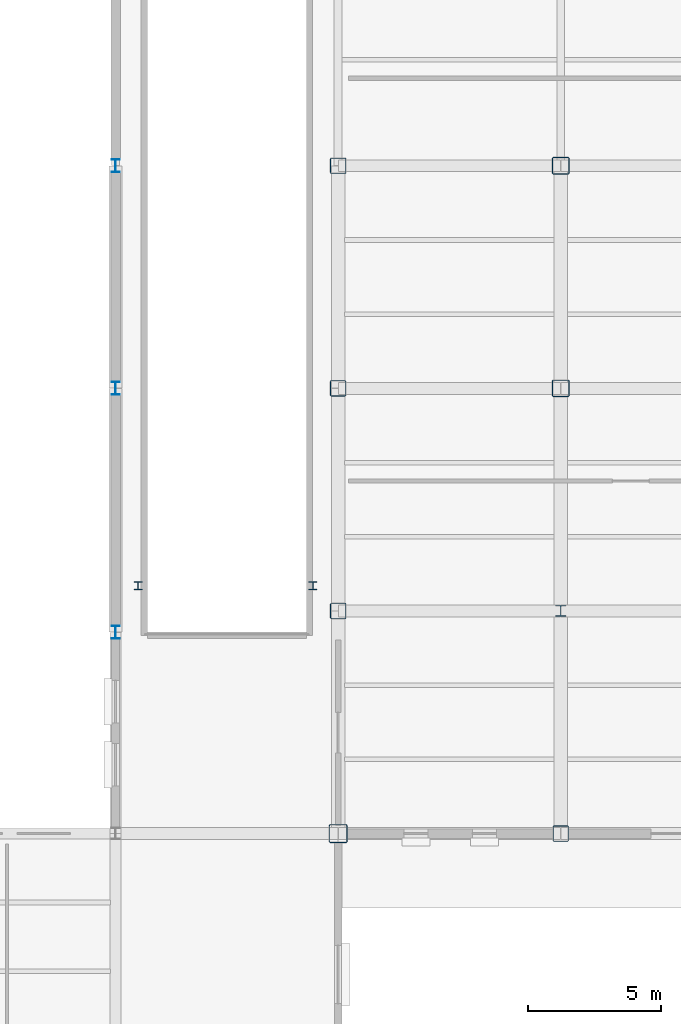
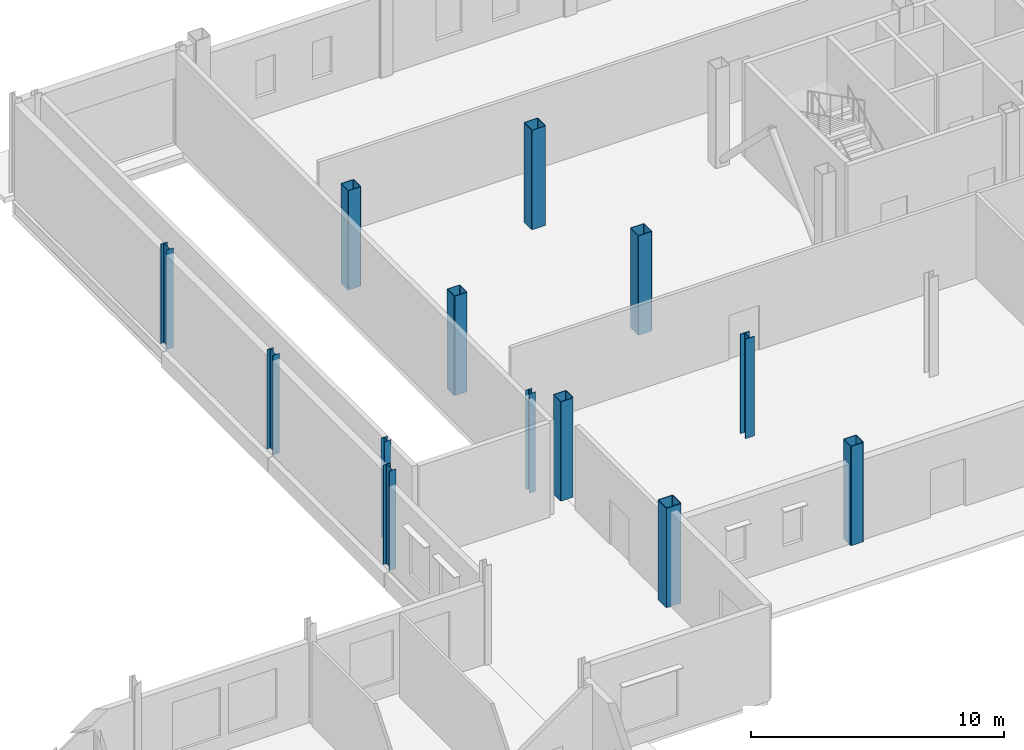
# One storey, part 12 of 82: 13 columns.
"""IFC4 building model written with IfcOpenShell, lengths in metres."""

from ifc_helpers import new_model, si_unit, direction, frame, origin, origin_2d, place, context, subcontext, project, spatial, hollow_rectangle, i_section, extrude, material, material_profile, profile_set, type_object, element, save


model = new_model("IFC4")

# Units and contexts
model_context = context("Model", 3, precision=1e-05, world=origin(), true_north=direction((0.0, 1.0)))
body_context = subcontext(model_context, "Body", "Model", "MODEL_VIEW")
ifc_project = project(units=[si_unit("LENGTHUNIT", "METRE"), si_unit("AREAUNIT", "SQUARE_METRE"), si_unit("VOLUMEUNIT", "CUBIC_METRE"), si_unit("PLANEANGLEUNIT", "RADIAN"), si_unit("MASSUNIT", "GRAM", prefix="KILO")], contexts=[model_context])

# Site, building, storey
site_placement = place(None, origin())
site = spatial("IfcSite", under=ifc_project, at=site_placement, CompositionType="ELEMENT")
building_placement = place(site_placement, origin())
building = spatial("IfcBuilding", under=site, at=building_placement, Name="Yukiwa Park Conservatory and Herbarium", CompositionType="ELEMENT")
storey_placement = place(building_placement, origin())
storey = spatial("IfcBuildingStorey", under=building, at=storey_placement, Name="L00", CompositionType="ELEMENT", Elevation=0.0)

# Columns
ifc_material_1 = material(Name="Steel Q355D", Category="steel")
ifc_material_profile_1 = material_profile(ifc_material_1, hollow_rectangle(XDim=0.60009765625, YDim=0.60009765625, WallThickness=0.02490234375, InnerFilletRadius=0.02490234375, OuterFilletRadius=0.050048828125, at=origin_2d()), Name="BOX 600x600x25")
ifc_profile_set_1 = profile_set([ifc_material_profile_1], Name="Steel Q355D")
column_type_1 = type_object("IfcColumnType", Name="COL-TW-BOX600", PredefinedType="COLUMN", material=ifc_profile_set_1)
column_1_placement = place(storey_placement, frame((116.39990234375, 86.39990234375, 0.0), z_axis=(0.0, 0.0, 1.0), x_axis=(1.0, 0.0, 0.0)))
element("IfcColumn", 1, at=column_1_placement, inside=storey, type_object=column_type_1, Name="L00 column V5-X1164-Y864", PredefinedType="COLUMN", context=body_context, shape_type="SweptSolid", body=[
    extrude(hollow_rectangle(XDim=0.60009765625, YDim=0.60009765625, WallThickness=0.02490234375, InnerFilletRadius=0.02490234375, OuterFilletRadius=0.050048828125, at=origin_2d()), origin(), (0.0, 0.0, 1.0), 4.800048828125),
])
ifc_material_2 = material(Name="Steel Q355D", Category="steel")
ifc_material_profile_2 = material_profile(ifc_material_2, hollow_rectangle(XDim=0.60009765625, YDim=0.60009765625, WallThickness=0.02490234375, InnerFilletRadius=0.02490234375, OuterFilletRadius=0.050048828125, at=origin_2d()), Name="BOX 600x600x25")
ifc_profile_set_2 = profile_set([ifc_material_profile_2], Name="Steel Q355D")
column_type_2 = type_object("IfcColumnType", Name="COL-TW-BOX600-EXT", PredefinedType="COLUMN", material=ifc_profile_set_2)
for number, where, z_axis, x_axis, name in (
    (2, (116.39990234375, 94.800048828125, 0.0), (0.0, 0.0, 1.0), (1.0, 0.0, 0.0), "L00 column V5-X1164-Y948"),
    (3, (116.39990234375, 103.199951171875, 0.0), (0.0, 0.0, 1.0), (1.0, 0.0, 0.0), "L00 column V5-X1164-Y1032"),
    (4, (124.800048828125, 78.0, 0.0), (0.0, 0.0, 1.0), (1.0, 0.0, 0.0), "L00 column V5-X1248-Y780"),
):
    element("IfcColumn", number, at=place(storey_placement, frame(where, z_axis=z_axis, x_axis=x_axis)), inside=storey, type_object=column_type_2, Name=name, PredefinedType="COLUMN", context=body_context, shape_type="SweptSolid", body=[
        extrude(hollow_rectangle(XDim=0.60009765625, YDim=0.60009765625, WallThickness=0.02490234375, InnerFilletRadius=0.02490234375, OuterFilletRadius=0.050048828125, at=origin_2d()), origin(), (0.0, 0.0, 1.0), 4.800048828125),
    ])
ifc_material_3 = material(Name="Steel Q355D", Category="steel")
ifc_material_profile_3 = material_profile(ifc_material_3, hollow_rectangle(XDim=0.64990234375, YDim=0.64990234375, WallThickness=0.028076171875, InnerFilletRadius=0.028076171875, OuterFilletRadius=0.055908203125, at=origin_2d()), Name="BOX 650x650x28")
ifc_profile_set_3 = profile_set([ifc_material_profile_3], Name="Steel Q355D")
column_type_3 = type_object("IfcColumnType", Name="COL-TW-BOX650", PredefinedType="COLUMN", material=ifc_profile_set_3)
for number, where, z_axis, x_axis, name in (
    (5, (124.800048828125, 94.800048828125, 0.0), (0.0, 0.0, 1.0), (1.0, 0.0, 0.0), "L00 column V5-X1248-Y948"),
    (6, (124.800048828125, 103.199951171875, 0.0), (0.0, 0.0, 1.0), (1.0, 0.0, 0.0), "L00 column V5-X1248-Y1032"),
):
    element("IfcColumn", number, at=place(storey_placement, frame(where, z_axis=z_axis, x_axis=x_axis)), inside=storey, type_object=column_type_3, Name=name, PredefinedType="COLUMN", context=body_context, shape_type="SweptSolid", body=[
        extrude(hollow_rectangle(XDim=0.64990234375, YDim=0.64990234375, WallThickness=0.028076171875, InnerFilletRadius=0.028076171875, OuterFilletRadius=0.055908203125, at=origin_2d()), origin(), (0.0, 0.0, 1.0), 4.800048828125),
    ])
ifc_material_4 = material(Name="Steel Q355D", Category="steel")
ifc_material_profile_4 = material_profile(ifc_material_4, hollow_rectangle(XDim=0.699951171875, YDim=0.699951171875, WallThickness=0.031982421875, InnerFilletRadius=0.031982421875, OuterFilletRadius=0.06396484375, at=origin_2d()), Name="BOX 700x700x32")
ifc_profile_set_4 = profile_set([ifc_material_profile_4], Name="Steel Q355D")
column_type_4 = type_object("IfcColumnType", Name="COL-TW-BOX700", PredefinedType="COLUMN", material=ifc_profile_set_4)
column_2_placement = place(storey_placement, frame((116.39990234375, 78.0, 0.0), z_axis=(0.0, 0.0, 1.0), x_axis=(1.0, 0.0, 0.0)))
element("IfcColumn", 7, at=column_2_placement, inside=storey, type_object=column_type_4, Name="L00 column V5-X1164-Y780", PredefinedType="COLUMN", context=body_context, shape_type="SweptSolid", body=[
    extrude(hollow_rectangle(XDim=0.699951171875, YDim=0.699951171875, WallThickness=0.031982421875, InnerFilletRadius=0.031982421875, OuterFilletRadius=0.06396484375, at=origin_2d()), origin(), (0.0, 0.0, 1.0), 4.800048828125),
])
ifc_material_5 = material(Name="Steel Q355D", Category="steel")
ifc_material_profile_5 = material_profile(ifc_material_5, i_section(OverallWidth=0.300048828125, OverallDepth=0.300048828125, WebThickness=0.010009765625, FlangeThickness=0.014892578125, FilletRadius=0.01806640625, at=origin_2d()), Name="HW 300x300x10x15")
ifc_profile_set_5 = profile_set([ifc_material_profile_5], Name="Steel Q355D")
column_type_5 = type_object("IfcColumnType", Name="COL-TW-HW300-EXT", PredefinedType="COLUMN", material=ifc_profile_set_5)
for number, where, z_axis, x_axis, name in (
    (8, (108.85009765625, 87.35009765625, 0.0), (0.0, 0.0, 1.0), (1.0, 0.0, 0.0), "Service ramp canopy L00 portal post 3"),
    (9, (115.449951171875, 87.35009765625, 0.0), (0.0, 0.0, 1.0), (1.0, 0.0, 0.0), "Service ramp canopy L00 portal post 4"),
):
    element("IfcColumn", number, at=place(storey_placement, frame(where, z_axis=z_axis, x_axis=x_axis)), inside=storey, type_object=column_type_5, Name=name, PredefinedType="COLUMN", context=body_context, shape_type="SweptSolid", body=[
        extrude(i_section(OverallWidth=0.300048828125, OverallDepth=0.300048828125, WebThickness=0.010009765625, FlangeThickness=0.014892578125, FilletRadius=0.01806640625, at=origin_2d()), origin(), (0.0, 0.0, 1.0), 4.800048828125),
    ])
ifc_material_6 = material(Name="Steel Q355D", Category="steel")
ifc_material_profile_6 = material_profile(ifc_material_6, i_section(OverallWidth=0.406982421875, OverallDepth=0.427978515625, WebThickness=0.02001953125, FlangeThickness=0.034912109375, FilletRadius=0.02197265625, at=origin_2d()), Name="HW 428x407x20x35")
ifc_profile_set_6 = profile_set([ifc_material_profile_6], Name="Steel Q355D")
column_type_6 = type_object("IfcColumnType", Name="COL-TW-HW428", PredefinedType="COLUMN", material=ifc_profile_set_6)
column_3_placement = place(storey_placement, frame((124.800048828125, 86.39990234375, 0.0), z_axis=(0.0, 0.0, 1.0), x_axis=(1.0, 0.0, 0.0)))
element("IfcColumn", 10, at=column_3_placement, inside=storey, type_object=column_type_6, Name="L00 column V5-X1248-Y864", PredefinedType="COLUMN", context=body_context, shape_type="SweptSolid", body=[
    extrude(i_section(OverallWidth=0.406982421875, OverallDepth=0.427978515625, WebThickness=0.02001953125, FlangeThickness=0.034912109375, FilletRadius=0.02197265625, at=origin_2d()), origin(), (0.0, 0.0, 1.0), 4.800048828125),
])
ifc_material_7 = material(Name="Steel Q355D", Category="steel")
ifc_material_profile_7 = material_profile(ifc_material_7, i_section(OverallWidth=0.300048828125, OverallDepth=0.488037109375, WebThickness=0.010986328125, FlangeThickness=0.01806640625, FilletRadius=0.02392578125, at=origin_2d()), Name="HM 488x300x11x18")
ifc_profile_set_7 = profile_set([ifc_material_profile_7], Name="Steel Q355D")
column_type_7 = type_object("IfcColumnType", Name="COL-VS-HM488-EXT", PredefinedType="COLUMN", material=ifc_profile_set_7)
for number, where, z_axis, x_axis, name in (
    (11, (108.0, 85.60009765625, 0.0), (0.0, 0.0, 1.0), (1.0, 0.0, 0.0), "L00 column LNK-X1080-Y856"),
    (12, (108.0, 94.800048828125, 0.0), (0.0, 0.0, 1.0), (1.0, 0.0, 0.0), "L00 column RMP-X1080-Y948"),
    (13, (108.0, 103.199951171875, 0.0), (0.0, 0.0, 1.0), (1.0, 0.0, 0.0), "L00 column RMP-X1080-Y1032"),
):
    element("IfcColumn", number, at=place(storey_placement, frame(where, z_axis=z_axis, x_axis=x_axis)), inside=storey, type_object=column_type_7, Name=name, PredefinedType="COLUMN", context=body_context, shape_type="SweptSolid", body=[
        extrude(i_section(OverallWidth=0.300048828125, OverallDepth=0.488037109375, WebThickness=0.010986328125, FlangeThickness=0.01806640625, FilletRadius=0.02392578125, at=origin_2d()), origin(), (0.0, 0.0, 1.0), 4.800048828125),
    ])

save(model, "model.ifc")
